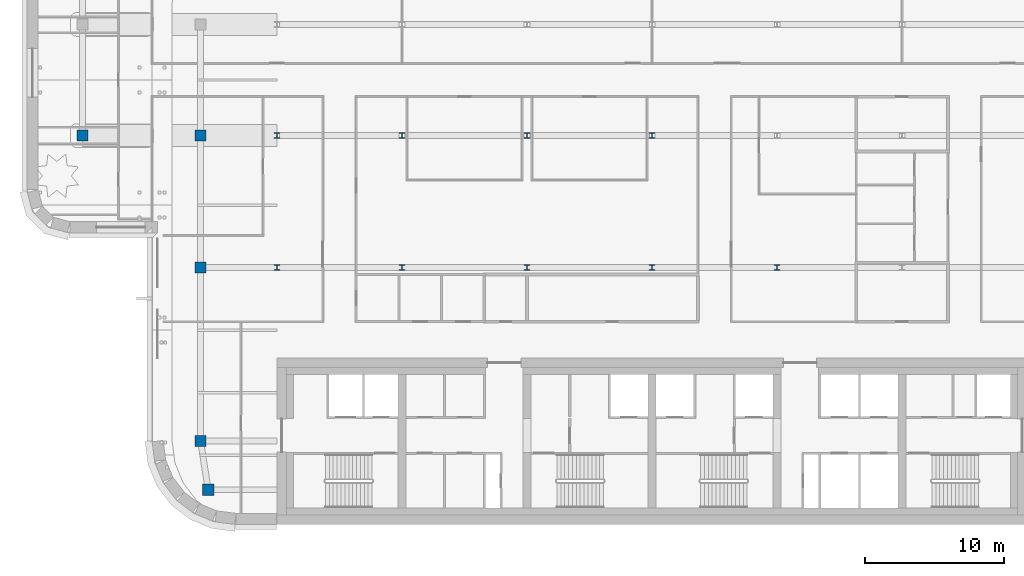
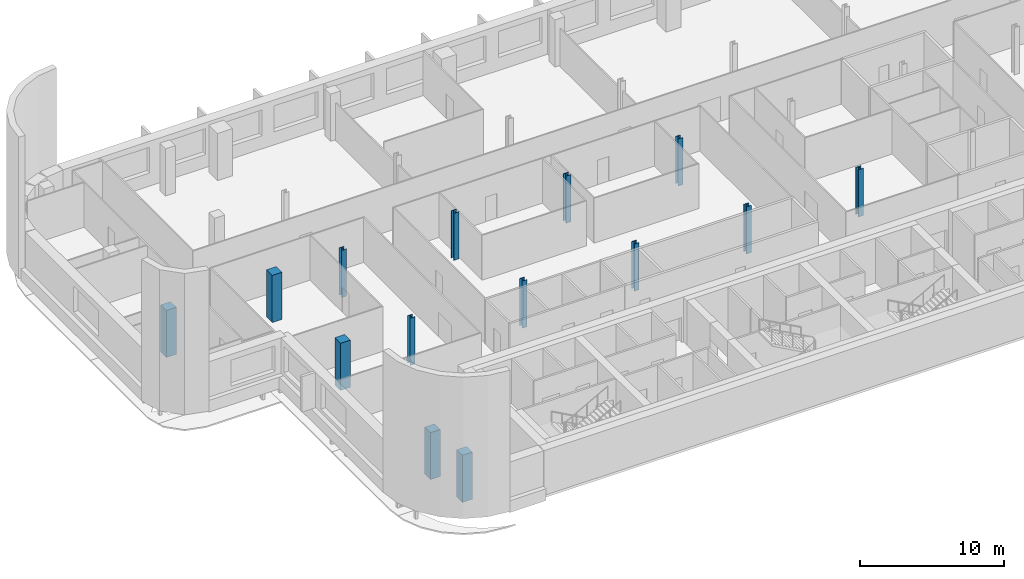
# One storey, part 1 of 19: 14 columns.
"""IFC4 building model written with IfcOpenShell, lengths in metres."""

from ifc_helpers import new_model, si_unit, direction, frame, origin, origin_2d, place, context, subcontext, project, spatial, rectangle, i_section, extrude, material, material_profile, profile_set, type_object, element, save


model = new_model("IFC4")

# Units and contexts
model_context = context("Model", 3, precision=1e-05, world=origin(), true_north=direction((0.0, 1.0)))
body_context = subcontext(model_context, "Body", "Model", "MODEL_VIEW")
ifc_project = project(units=[si_unit("LENGTHUNIT", "METRE"), si_unit("AREAUNIT", "SQUARE_METRE"), si_unit("VOLUMEUNIT", "CUBIC_METRE"), si_unit("PLANEANGLEUNIT", "RADIAN"), si_unit("MASSUNIT", "GRAM", prefix="KILO")], contexts=[model_context])

# Site, building, storey
site_placement = place(None, origin())
site = spatial("IfcSite", under=ifc_project, at=site_placement, CompositionType="ELEMENT")
building_placement = place(site_placement, origin())
building = spatial("IfcBuilding", under=site, at=building_placement, Name="Zellij Exchange Tower", CompositionType="ELEMENT")
storey_placement = place(building_placement, frame((0.0, 0.0, 220.5)))
storey = spatial("IfcBuildingStorey", under=building, at=storey_placement, Name="L51", CompositionType="ELEMENT", Elevation=220.5)

# Columns
ifc_material_1 = material(Name="Concrete C50/60", Category="concrete")
ifc_material_profile_1 = material_profile(ifc_material_1, rectangle(XDim=0.800048828125, YDim=0.800048828125, at=origin_2d()), Name="STR-COLUMN RC800x800 C50/60")
ifc_profile_set_1 = profile_set([ifc_material_profile_1], Name="Concrete C50/60")
column_type_1 = type_object("IfcColumnType", Name="STR-COLUMN RC800x800 C50/60", PredefinedType="COLUMN", material=ifc_profile_set_1)
for number, where, z_axis, x_axis, name in (
    (1, (-31.949951171875, -11.5, 0.0), (0.0, 0.0, 1.0), (1.0, 0.0, 0.0), "C15"),
    (2, (-32.5, -8.0, 0.0), (0.0, 0.0, 1.0), (1.0, 0.0, 0.0), "C15"),
    (3, (-32.5, 4.5, 0.0), (0.0, 0.0, 1.0), (1.0, 0.0, 0.0), "C15"),
    (4, (-41.0, 14.0, 0.0), (0.0, 0.0, 1.0), (1.0, 0.0, 0.0), "C15"),
    (5, (-32.5, 14.0, 0.0), (0.0, 0.0, 1.0), (1.0, 0.0, 0.0), "C15"),
):
    element("IfcColumn", number, at=place(storey_placement, frame(where, z_axis=z_axis, x_axis=x_axis)), inside=storey, type_object=column_type_1, Name=name, PredefinedType="COLUMN", context=body_context, shape_type="SweptSolid", body=[
        extrude(rectangle(XDim=0.800048828125, YDim=0.800048828125, at=origin_2d()), origin(), (0.0, 0.0, 1.0), 4.0),
    ])
ifc_material_2 = material(Name="Structural steel ASTM A992 Gr 50", Category="steel")
ifc_material_profile_2 = material_profile(ifc_material_2, i_section(OverallWidth=0.398681640625, OverallDepth=0.385986328125, WebThickness=0.02099609375, FlangeThickness=0.033203125, at=origin_2d()), Name="W14x176")
ifc_profile_set_2 = profile_set([ifc_material_profile_2], Name="Structural steel ASTM A992 Gr 50")
column_type_2 = type_object("IfcColumnType", Name="STR-COLUMN W14x176", PredefinedType="COLUMN", material=ifc_profile_set_2)
for number, where, z_axis, x_axis, name in (
    (6, (-27.0, 4.5, 0.0), (0.0, 0.0, 1.0), (1.0, 0.0, 0.0), "C2"),
    (7, (-18.0, 4.5, 0.0), (0.0, 0.0, 1.0), (1.0, 0.0, 0.0), "C2"),
    (8, (-9.0, 4.5, 0.0), (0.0, 0.0, 1.0), (1.0, 0.0, 0.0), "C2"),
    (9, (0.0, 4.5, 0.0), (0.0, 0.0, 1.0), (1.0, 0.0, 0.0), "C2"),
    (10, (9.0, 4.5, 0.0), (0.0, 0.0, 1.0), (1.0, 0.0, 0.0), "C2"),
    (11, (-27.0, 14.0, 0.0), (0.0, 0.0, 1.0), (1.0, 0.0, 0.0), "C2"),
    (12, (-18.0, 14.0, 0.0), (0.0, 0.0, 1.0), (1.0, 0.0, 0.0), "C2"),
    (13, (-9.0, 14.0, 0.0), (0.0, 0.0, 1.0), (1.0, 0.0, 0.0), "C2"),
    (14, (0.0, 14.0, 0.0), (0.0, 0.0, 1.0), (1.0, 0.0, 0.0), "C2"),
):
    element("IfcColumn", number, at=place(storey_placement, frame(where, z_axis=z_axis, x_axis=x_axis)), inside=storey, type_object=column_type_2, Name=name, PredefinedType="COLUMN", context=body_context, shape_type="SweptSolid", body=[
        extrude(i_section(OverallWidth=0.398681640625, OverallDepth=0.385986328125, WebThickness=0.02099609375, FlangeThickness=0.033203125, at=origin_2d()), origin(), (0.0, 0.0, 1.0), 4.0),
    ])

save(model, "model.ifc")
